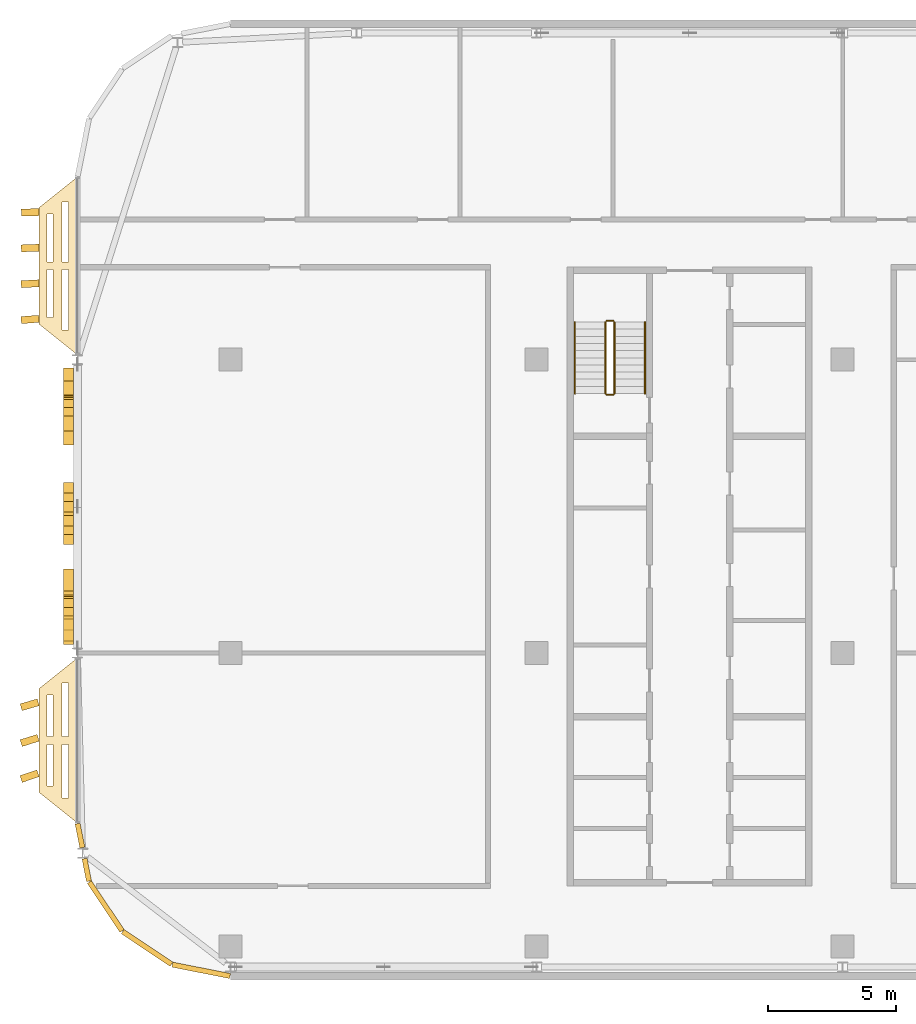
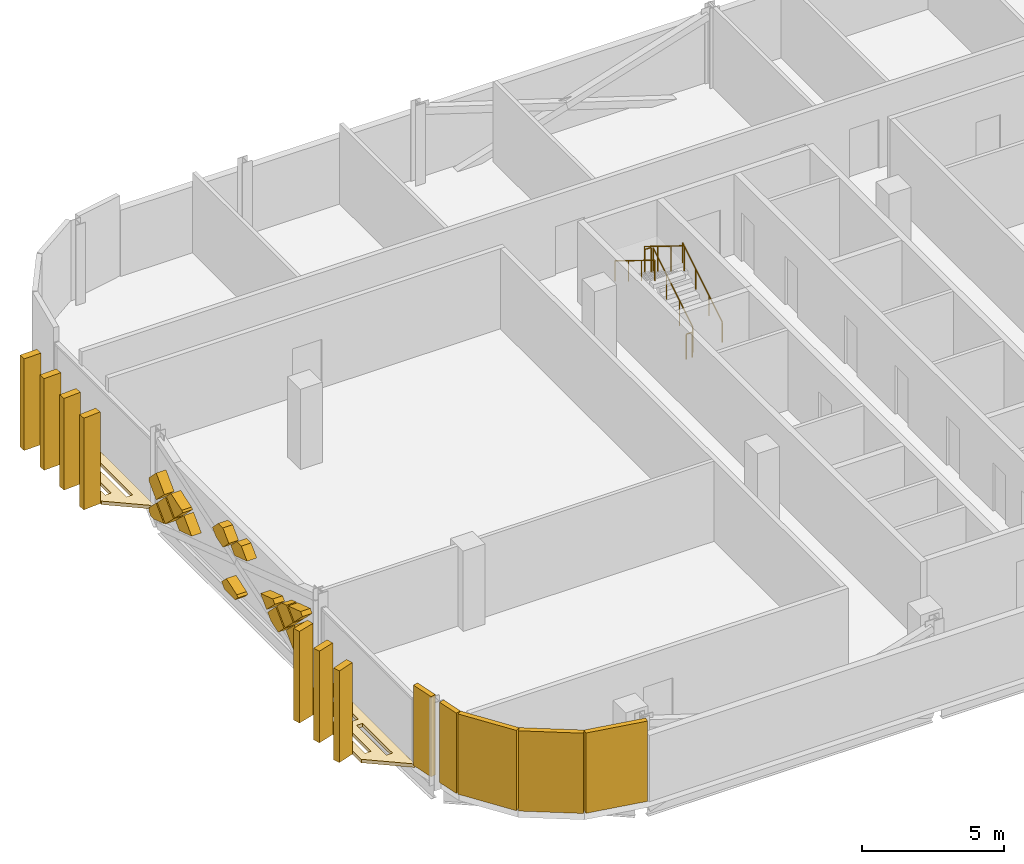
# One storey, part 21 of 25: 27 coverings, 6 railings.
"""IFC4 building model written with IfcOpenShell, lengths in metres."""

from ifc_helpers import new_model, si_unit, direction, frame, origin, origin_2d, place, context, subcontext, project, spatial, polyline, rectangle, circle, outline, extrude, material, layer, layer_set, type_object, element, save


model = new_model("IFC4")

# Units and contexts
model_context = context("Model", 3, precision=1e-05, world=origin(), true_north=direction((0.0, 1.0)))
body_context = subcontext(model_context, "Body", "Model", "MODEL_VIEW")
ifc_project = project(units=[si_unit("LENGTHUNIT", "METRE"), si_unit("AREAUNIT", "SQUARE_METRE"), si_unit("VOLUMEUNIT", "CUBIC_METRE"), si_unit("PLANEANGLEUNIT", "RADIAN"), si_unit("MASSUNIT", "GRAM", prefix="KILO")], contexts=[model_context])

# Site, building, storey
site_placement = place(None, origin())
site = spatial("IfcSite", under=ifc_project, at=site_placement, CompositionType="ELEMENT")
building_placement = place(site_placement, origin())
building = spatial("IfcBuilding", under=site, at=building_placement, Name="Mahtab Terrace Research Tower", CompositionType="ELEMENT")
storey_placement = place(building_placement, frame((0.0, 0.0, 278.5)))
storey = spatial("IfcBuildingStorey", under=building, at=storey_placement, Name="L68", CompositionType="ELEMENT", Elevation=278.5)

# Coverings
ifc_material_1 = material(Name="Black aluminium cladding panel", Category="aluminium")
ifc_layer_1 = layer(ifc_material_1, 0.199951171875)
ifc_layer_set_1 = layer_set([ifc_layer_1], Name="Black metal corner cladding 200")
covering_type_1 = type_object("IfcCoveringType", Name="Black metal corner cladding 200", PredefinedType="CLADDING", material=ifc_layer_set_1)
covering_1_placement = place(storey_placement, frame((-47.90283203125, -7.15625, 0.0), z_axis=(0.0, 0.0, 1.0), x_axis=(0.195212442692, -0.980760981187, 0.0)))
element("IfcCovering", 1, at=covering_1_placement, inside=storey, type_object=covering_type_1, Name="Corner cladding L68 11", PredefinedType="CLADDING", context=body_context, shape_type="SweptSolid", body=[
    extrude(rectangle(XDim=0.955810546875, YDim=0.199951171875, at=origin_2d()), origin(), (0.0, 0.0, 1.0), 3.4599609375),
])
covering_2_placement = place(storey_placement, frame((-47.635009765625, -8.50146484375, 0.0), z_axis=(0.0, 0.0, 1.0), x_axis=(0.195212442692, -0.980760981187, 0.0)))
element("IfcCovering", 2, at=covering_2_placement, inside=storey, type_object=covering_type_1, Name="Corner cladding L68 12", PredefinedType="CLADDING", context=body_context, shape_type="SweptSolid", body=[
    extrude(rectangle(XDim=0.9033203125, YDim=0.199951171875, at=origin_2d()), origin(), (0.0, 0.0, 1.0), 3.4599609375),
])
for number, where, z_axis, x_axis, name in (
    (3, (-46.89306640625, -9.9375, 0.0), (0.0, 0.0, 1.0), (0.555291490808, -0.831655794326, 0.0), "Corner cladding L68 13"),
    (4, (-45.26953125, -11.56103515625, 0.0), (0.0, 0.0, 1.0), (0.831655794326, -0.555291490808, 0.0), "Corner cladding L68 14"),
    (5, (-43.14794921875, -12.439453125, 0.0), (0.0, 0.0, 1.0), (0.980760981187, -0.195212442692, 0.0), "Corner cladding L68 15"),
):
    element("IfcCovering", number, at=place(storey_placement, frame(where, z_axis=z_axis, x_axis=x_axis)), inside=storey, type_object=covering_type_1, Name=name, PredefinedType="CLADDING", context=body_context, shape_type="SweptSolid", body=[
        extrude(rectangle(XDim=2.30126953125, YDim=0.199951171875, at=origin_2d()), origin(), (0.0, 0.0, 1.0), 3.4599609375),
    ])
ifc_material_2 = material(Name="Black anodised aluminium", Category="aluminium")
ifc_layer_2 = layer(ifc_material_2, 0.14990234375)
ifc_layer_set_2 = layer_set([ifc_layer_2], Name="Horizontal sunshade band")
covering_type_2 = type_object("IfcCoveringType", Name="Horizontal sunshade band", PredefinedType="CLADDING", material=ifc_layer_set_2)
covering_3_placement = place(storey_placement, frame((0.0, 0.0, -0.14990234375)))
element("IfcCovering", 6, at=covering_3_placement, inside=storey, type_object=covering_type_2, Name="Sunshade band L68 8", PredefinedType="CLADDING", context=body_context, shape_type="SweptSolid", body=[
    extrude(outline(polyline([(-48.0, 18.66796875), (-48.0, 11.68798828125), (-49.5, 12.887939453125), (-49.5, 17.468017578125), (-48.0, 18.66796875)]), holes=[polyline([(-48.35009765625, 17.68798828125), (-48.35009765625, 15.327880859375), (-48.60009765625, 15.327880859375), (-48.60009765625, 17.68798828125), (-48.35009765625, 17.68798828125)]), polyline([(-48.35009765625, 15.028076171875), (-48.35009765625, 12.66796875), (-48.60009765625, 12.66796875), (-48.60009765625, 15.028076171875), (-48.35009765625, 15.028076171875)]), polyline([(-48.949951171875, 17.2080078125), (-48.949951171875, 15.327880859375), (-49.199951171875, 15.327880859375), (-49.199951171875, 17.2080078125), (-48.949951171875, 17.2080078125)]), polyline([(-48.949951171875, 15.028076171875), (-48.949951171875, 13.14794921875), (-49.199951171875, 13.14794921875), (-49.199951171875, 15.028076171875), (-48.949951171875, 15.028076171875)])]), origin(), (0.0, 0.0, 1.0), 0.14990234375),
])
covering_4_placement = place(storey_placement, frame((0.0, 0.0, -0.14990234375)))
element("IfcCovering", 7, at=covering_4_placement, inside=storey, type_object=covering_type_2, Name="Sunshade band L68 10", PredefinedType="CLADDING", context=body_context, shape_type="SweptSolid", body=[
    extrude(outline(polyline([(-48.0, -0.18798828125), (-48.0, -6.66796875), (-49.5, -5.468017578125), (-49.5, -1.387939453125), (-48.0, -0.18798828125)]), holes=[polyline([(-48.35009765625, -1.16796875), (-48.35009765625, -3.278076171875), (-48.60009765625, -3.278076171875), (-48.60009765625, -1.16796875), (-48.35009765625, -1.16796875)]), polyline([(-48.35009765625, -3.577880859375), (-48.35009765625, -5.68798828125), (-48.60009765625, -5.68798828125), (-48.60009765625, -3.577880859375), (-48.35009765625, -3.577880859375)]), polyline([(-48.949951171875, -1.64794921875), (-48.949951171875, -3.278076171875), (-49.199951171875, -3.278076171875), (-49.199951171875, -1.64794921875), (-48.949951171875, -1.64794921875)]), polyline([(-48.949951171875, -3.577880859375), (-48.949951171875, -5.2080078125), (-49.199951171875, -5.2080078125), (-49.199951171875, -3.577880859375), (-48.949951171875, -3.577880859375)])]), origin(), (0.0, 0.0, 1.0), 0.14990234375),
])
ifc_material_3 = material(Name="Bronze anodised aluminium", Category="aluminium")
ifc_layer_3 = layer(ifc_material_3, 0.39990234375)
ifc_layer_set_3 = layer_set([ifc_layer_3], Name="Mashrabiya relief panel 400")
covering_type_3 = type_object("IfcCoveringType", Name="Mashrabiya relief panel 400", PredefinedType="CLADDING", material=ifc_layer_set_3)
covering_5_placement = place(storey_placement, frame((-48.14990234375, 11.177001953125, 0.284912109375), z_axis=(1.0, 0.0, 0.0), x_axis=(0.0, 0.0, 1.0)))
element("IfcCovering", 8, at=covering_5_placement, inside=storey, type_object=covering_type_3, Name="Mashrabiya lattice cell L68 W9.1", PredefinedType="CLADDING", context=body_context, shape_type="SweptSolid", body=[
    extrude(outline(polyline([(0.0, 0.0), (0.130126953125, 0.0), (0.64501953125, 0.514892578125), (0.093994140625, 1.06591796875), (-0.14990234375, 0.327880859375), (-0.14990234375, 0.14990234375), (0.0, 0.0)])), origin(), (0.0, 0.0, -1.0), 0.39990234375),
])
covering_6_placement = place(storey_placement, frame((-48.14990234375, 10.662109375, 2.22998046875), z_axis=(1.0, 0.0, 0.0), x_axis=(0.0, -0.707106781187, -0.707106781187)))
element("IfcCovering", 9, at=covering_6_placement, inside=storey, type_object=covering_type_3, Name="Mashrabiya lattice cell L68 W9.2", PredefinedType="CLADDING", context=body_context, shape_type="SweptSolid", body=[
    extrude(outline(polyline([(0.0, 0.0), (0.8203543516109556, 0.0), (0.820181718119455, 0.820181718119455), (0.0920136509698315, 0.820181718119455), (0.0, 0.7281680671496235), (0.0, 0.0)])), origin(), (0.0, 0.0, -1.0), 0.39990234375),
])
covering_7_placement = place(storey_placement, frame((-48.14990234375, 10.011962890625, 1.580078125), z_axis=(1.0, 0.0, 0.0), x_axis=(0.0, -0.707106781187, -0.707106781187)))
element("IfcCovering", 10, at=covering_7_placement, inside=storey, type_object=covering_type_3, Name="Mashrabiya lattice cell L68 W9.3", PredefinedType="CLADDING", context=body_context, shape_type="SweptSolid", body=[
    extrude(outline(polyline([(0.0, 0.0), (0.8203543516109556, 0.0), (0.8203543516109556, 0.8203543516109556), (0.0, 0.8203543516109556), (0.0, 0.0)])), origin(), (0.0, 0.0, -1.0), 0.39990234375),
])
covering_8_placement = place(storey_placement, frame((-48.14990234375, 8.781982421875, 1.64990234375), z_axis=(1.0, 0.0, 0.0), x_axis=(0.0, 0.707255598772, -0.706957932274)))
element("IfcCovering", 11, at=covering_8_placement, inside=storey, type_object=covering_type_3, Name="Mashrabiya lattice cell L68 W9.4", PredefinedType="CLADDING", context=body_context, shape_type="SweptSolid", body=[
    extrude(outline(polyline([(0.0, 0.0), (0.8201817362875763, 0.0), (0.8203543334390104, 0.8200090664636573), (0.36511986277216557, 0.8202775186225616), (1.9984933323953513e-05, 0.0949484182221077), (0.0, 0.0)])), origin(), (0.0, 0.0, -1.0), 0.39990234375),
])
covering_9_placement = place(storey_placement, frame((-48.14990234375, 9.2919921875, 1.0), z_axis=(1.0, 0.0, 0.0), x_axis=(0.0, -0.707106781187, 0.707106781187)))
element("IfcCovering", 12, at=covering_9_placement, inside=storey, type_object=covering_type_3, Name="Mashrabiya lattice cell L68 W9.5", PredefinedType="CLADDING", context=body_context, shape_type="SweptSolid", body=[
    extrude(outline(polyline([(0.0, 0.0), (0.8203543516109556, 0.0), (0.820181718119455, 0.7849644858533281), (0.0, 0.3718525406923397), (0.0, 0.0)])), origin(), (0.0, 0.0, -1.0), 0.39990234375),
])
covering_10_placement = place(storey_placement, frame((-48.14990234375, 6.69189453125, 2.300048828125), z_axis=(1.0, 0.0, 0.0), x_axis=(0.0, -0.707106781187, 0.707106781187)))
element("IfcCovering", 13, at=covering_10_placement, inside=storey, type_object=covering_type_3, Name="Mashrabiya lattice cell L68 W9.6", PredefinedType="CLADDING", context=body_context, shape_type="SweptSolid", body=[
    extrude(outline(polyline([(0.0, 0.0), (0.5910970748981296, 0.0), (0.8201817181194548, 0.22908464322132532), (0.820181718119455, 0.820181718119455), (0.23322784701734023, 0.820181718119455), (0.0, 0.35631552645728376), (0.0, 0.0)])), origin(), (0.0, 0.0, -1.0), 0.39990234375),
])
covering_11_placement = place(storey_placement, frame((-48.14990234375, 6.0419921875, 0.35009765625), z_axis=(1.0, 0.0, 0.0), x_axis=(0.0, -0.707368333511, 0.706845132081)))
element("IfcCovering", 14, at=covering_11_placement, inside=storey, type_object=covering_type_3, Name="Mashrabiya lattice cell L68 W9.7", PredefinedType="CLADDING", context=body_context, shape_type="SweptSolid", body=[
    extrude(outline(polyline([(0.0, 0.0), (0.46662835945986325, 0.0), (0.8204411550824784, 0.7011063941288723), (0.8204850958275854, 0.8198782281531568), (0.5164776019670916, 0.8201633320574558), (0.00011253429197466414, 0.3041801912075424), (0.0, 0.0)])), origin(), (0.0, 0.0, -1.0), 0.39990234375),
])
covering_12_placement = place(storey_placement, frame((-48.14990234375, 5.39208984375, 2.300048828125), z_axis=(1.0, 0.0, 0.0), x_axis=(0.0, -0.707106781187, 0.707106781187)))
element("IfcCovering", 15, at=covering_12_placement, inside=storey, type_object=covering_type_3, Name="Mashrabiya lattice cell L68 W9.8", PredefinedType="CLADDING", context=body_context, shape_type="SweptSolid", body=[
    extrude(outline(polyline([(0.0, 0.0), (0.5910970748981296, 0.0), (0.8203543516109555, 0.22925727671282597), (0.820181718119455, 0.7977393642243741), (0.0, 0.38462741906338577), (0.0, 0.0)])), origin(), (0.0, 0.0, -1.0), 0.39990234375),
])
covering_13_placement = place(storey_placement, frame((-48.14990234375, 2.281982421875, 1.64990234375), z_axis=(1.0, 0.0, 0.0), x_axis=(0.0, 0.707255598772, -0.706957932274)))
element("IfcCovering", 16, at=covering_13_placement, inside=storey, type_object=covering_type_3, Name="Mashrabiya lattice cell L68 W9.9", PredefinedType="CLADDING", context=body_context, shape_type="SweptSolid", body=[
    extrude(outline(polyline([(0.0, 0.0), (0.8201817362875763, 0.0), (0.8203108752930914, 0.6135394152024923), (4.2295386161975146e-05, 0.20094537965551518), (0.0, 0.0)])), origin(), (0.0, 0.0, -1.0), 0.39990234375),
])
covering_14_placement = place(storey_placement, frame((-48.14990234375, 2.7919921875, 1.0), z_axis=(1.0, 0.0, 0.0), x_axis=(0.0, -0.707106781187, 0.707106781187)))
element("IfcCovering", 17, at=covering_14_placement, inside=storey, type_object=covering_type_3, Name="Mashrabiya lattice cell L68 W9.10", PredefinedType="CLADDING", context=body_context, shape_type="SweptSolid", body=[
    extrude(outline(polyline([(0.0, 0.0), (0.8203543516109556, 0.0), (0.820181718119455, 0.820181718119455), (0.24462165745638137, 0.8201817181194551), (0.0, 0.3324921046301979), (0.0, 0.0)])), origin(), (0.0, 0.0, -1.0), 0.39990234375),
])
covering_15_placement = place(storey_placement, frame((-48.14990234375, 0.98193359375, 1.64990234375), z_axis=(1.0, 0.0, 0.0), x_axis=(0.0, 0.707255598772, -0.706957932274)))
element("IfcCovering", 18, at=covering_15_placement, inside=storey, type_object=covering_type_3, Name="Mashrabiya lattice cell L68 W9.11", PredefinedType="CLADDING", context=body_context, shape_type="SweptSolid", body=[
    extrude(outline(polyline([(0.0, 0.0), (0.8201817362875763, 0.0), (0.8205270032629295, 0.8201816636150915), (0.32403309270514447, 0.8202861666482546), (0.0001384410835714167, 0.6577335880476914), (0.0, 0.0)])), origin(), (0.0, 0.0, -1.0), 0.39990234375),
])
covering_16_placement = place(storey_placement, frame((-48.14990234375, 0.912109375, 1.580078125), z_axis=(1.0, 0.0, 0.0), x_axis=(0.0, -0.707106781187, -0.707106781187)))
element("IfcCovering", 19, at=covering_16_placement, inside=storey, type_object=covering_type_3, Name="Mashrabiya lattice cell L68 W9.12", PredefinedType="CLADDING", context=body_context, shape_type="SweptSolid", body=[
    extrude(outline(polyline([(0.0, 0.0), (0.8203543516109556, 0.0), (0.8203543516109556, 0.8203543516109556), (0.0001726334915006511, 0.820181718119455), (0.0, 0.0)])), origin(), (0.0, 0.0, -1.0), 0.39990234375),
])
covering_17_placement = place(storey_placement, frame((-48.14990234375, 0.33203125, 2.300048828125), z_axis=(1.0, 0.0, 0.0), x_axis=(0.0, 0.707106781187, -0.707106781187)))
element("IfcCovering", 20, at=covering_17_placement, inside=storey, type_object=covering_type_3, Name="Mashrabiya lattice cell L68 W9.13", PredefinedType="CLADDING", context=body_context, shape_type="SweptSolid", body=[
    extrude(outline(polyline([(0.0, 0.0), (0.8203543516109556, 0.0), (0.8203543516109556, 0.6080151570651905), (0.0, 0.19507584539570283), (0.0, 0.0)])), origin(), (0.0, 0.0, -1.0), 0.39990234375),
])

# Railings
ifc_material_4 = material(Name="Stainless steel AISI 304", Category="steel")
railing_type_1 = type_object("IfcRailingType", Name="Stair guard 1100", PredefinedType="GUARDRAIL", material=ifc_material_4)
railing_1_placement = place(storey_placement, frame((-26.949951171875, 10.175048828125, 0.172607421875)))
element("IfcRailing", 21, at=railing_1_placement, inside=storey, type_object=railing_type_1, Name="L68 ST1 stair guard 1", PredefinedType="GUARDRAIL", context=body_context, shape_type="SweptSolid", body=[
    extrude(circle(Radius=0.02392578125, at=origin_2d()), frame((0.0, 0.0, 1.076171875), z_axis=(0.0, 0.851089632645, 0.525020415988), x_axis=(-1.0, 0.0, 0.0)), (0.0, 0.0, 1.0), 3.2900390625),
    extrude(circle(Radius=0.02099609375, at=origin_2d()), origin(), (0.0, 0.0, 1.0), 1.052001953125),
    extrude(circle(Radius=0.02099609375, at=origin_2d()), frame((0.0, 0.933349609375, 0.57568359375)), (0.0, 0.0, 1.0), 1.052001953125),
    extrude(circle(Radius=0.02099609375, at=origin_2d()), frame((0.0, 1.86669921875, 1.151611328125)), (0.0, 0.0, 1.0), 1.052001953125),
    extrude(circle(Radius=0.02099609375, at=origin_2d()), frame((0.0, 2.800048828125, 1.727294921875)), (0.0, 0.0, 1.0), 1.052001953125),
])
railing_2_placement = place(storey_placement, frame((-27.0, 13.02490234375, 1.89990234375)))
element("IfcRailing", 22, at=railing_2_placement, inside=storey, type_object=railing_type_1, Name="L68 ST1 stair guard 2", PredefinedType="GUARDRAIL", context=body_context, shape_type="SweptSolid", body=[
    extrude(circle(Radius=0.02392578125, at=origin_2d()), frame((0.0, 0.0, 1.076171875), z_axis=(-1.0, 0.0, 0.0), x_axis=(0.0, -1.0, 0.0)), (0.0, 0.0, 1.0), 0.25),
    extrude(circle(Radius=0.02099609375, at=origin_2d()), origin(), (0.0, 0.0, 1.0), 1.052001953125),
    extrude(circle(Radius=0.02099609375, at=origin_2d()), frame((-0.25, 0.0, 0.0)), (0.0, 0.0, 1.0), 1.052001953125),
])
railing_3_placement = place(storey_placement, frame((-27.300048828125, 12.97509765625, 2.07275390625)))
element("IfcRailing", 23, at=railing_3_placement, inside=storey, type_object=railing_type_1, Name="L68 ST1 stair guard 3", PredefinedType="GUARDRAIL", context=body_context, shape_type="SweptSolid", body=[
    extrude(circle(Radius=0.02392578125, at=origin_2d()), frame((0.0, 0.0, 1.076171875), z_axis=(0.0, -0.851089632645, 0.525020415988), x_axis=(1.0, 0.0, 0.0)), (0.0, 0.0, 1.0), 3.2900390625),
    extrude(circle(Radius=0.02099609375, at=origin_2d()), origin(), (0.0, 0.0, 1.0), 1.052001953125),
    extrude(circle(Radius=0.02099609375, at=origin_2d()), frame((0.0, -0.933349609375, 0.57568359375)), (0.0, 0.0, 1.0), 1.052001953125),
    extrude(circle(Radius=0.02099609375, at=origin_2d()), frame((0.0, -1.86669921875, 1.151611328125)), (0.0, 0.0, 1.0), 1.052001953125),
    extrude(circle(Radius=0.02099609375, at=origin_2d()), frame((0.0, -2.800048828125, 1.727294921875)), (0.0, 0.0, 1.0), 1.052001953125),
])
railing_4_placement = place(storey_placement, frame((-27.0, 10.125, 0.0)))
element("IfcRailing", 24, at=railing_4_placement, inside=storey, type_object=railing_type_1, Name="L68 ST1 stair guard 4", PredefinedType="GUARDRAIL", context=body_context, shape_type="SweptSolid", body=[
    extrude(circle(Radius=0.02392578125, at=origin_2d()), frame((0.0, 0.0, 1.076171875), z_axis=(-1.0, 0.0, 0.0), x_axis=(0.0, -1.0, 0.0)), (0.0, 0.0, 1.0), 0.25),
    extrude(circle(Radius=0.02099609375, at=origin_2d()), origin(), (0.0, 0.0, 1.0), 1.052001953125),
    extrude(circle(Radius=0.02099609375, at=origin_2d()), frame((-0.25, 0.0, 0.0)), (0.0, 0.0, 1.0), 1.052001953125),
])
railing_type_2 = type_object("IfcRailingType", Name="Stair handrail 900", PredefinedType="HANDRAIL", material=ifc_material_4)
railing_5_placement = place(storey_placement, frame((-25.75, 10.175048828125, 0.172607421875)))
element("IfcRailing", 25, at=railing_5_placement, inside=storey, type_object=railing_type_2, Name="L68 ST1 stair handrail 1", PredefinedType="HANDRAIL", context=body_context, shape_type="SweptSolid", body=[
    extrude(circle(Radius=0.02392578125, at=origin_2d()), frame((0.0, 0.0, 0.8759765625), z_axis=(0.0, 0.851089632645, 0.525020415988), x_axis=(-1.0, 0.0, 0.0)), (0.0, 0.0, 1.0), 3.2900390625),
    extrude(circle(Radius=0.02099609375, at=origin_2d()), origin(), (0.0, 0.0, 1.0), 0.851806640625),
    extrude(circle(Radius=0.02099609375, at=origin_2d()), frame((0.0, 0.933349609375, 0.57568359375)), (0.0, 0.0, 1.0), 0.851806640625),
    extrude(circle(Radius=0.02099609375, at=origin_2d()), frame((0.0, 1.86669921875, 1.151611328125)), (0.0, 0.0, 1.0), 0.851806640625),
    extrude(circle(Radius=0.02099609375, at=origin_2d()), frame((0.0, 2.800048828125, 1.727294921875)), (0.0, 0.0, 1.0), 0.851806640625),
])
railing_6_placement = place(storey_placement, frame((-28.5, 12.97509765625, 2.07275390625)))
element("IfcRailing", 26, at=railing_6_placement, inside=storey, type_object=railing_type_2, Name="L68 ST1 stair handrail 2", PredefinedType="HANDRAIL", context=body_context, shape_type="SweptSolid", body=[
    extrude(circle(Radius=0.02392578125, at=origin_2d()), frame((0.0, 0.0, 0.8759765625), z_axis=(0.0, -0.851089632645, 0.525020415988), x_axis=(1.0, 0.0, 0.0)), (0.0, 0.0, 1.0), 3.2900390625),
    extrude(circle(Radius=0.02099609375, at=origin_2d()), origin(), (0.0, 0.0, 1.0), 0.851806640625),
    extrude(circle(Radius=0.02099609375, at=origin_2d()), frame((0.0, -0.933349609375, 0.57568359375)), (0.0, 0.0, 1.0), 0.851806640625),
    extrude(circle(Radius=0.02099609375, at=origin_2d()), frame((0.0, -1.86669921875, 1.151611328125)), (0.0, 0.0, 1.0), 0.851806640625),
    extrude(circle(Radius=0.02099609375, at=origin_2d()), frame((0.0, -2.800048828125, 1.727294921875)), (0.0, 0.0, 1.0), 0.851806640625),
])

# Coverings
ifc_layer_4 = layer(ifc_material_3, 0.1201171875)
ifc_layer_set_4 = layer_set([ifc_layer_4], Name="Vertical fin 700")
covering_type_4 = type_object("IfcCoveringType", Name="Vertical fin 700", PredefinedType="CLADDING", material=ifc_layer_set_4)
for number, where, z_axis, x_axis, name in (
    (27, (-49.8525390625, 17.278076171875, -0.14990234375), (0.0, 0.0, 1.0), (0.01914950564, -0.999816631405, 0.0), "Fin L68 W1"),
    (28, (-49.855224609375, 15.8779296875, -0.14990234375), (0.0, 0.0, 1.0), (0.038429661669, -0.999261307719, 0.0), "Fin L68 W2"),
    (29, (-49.857421875, 14.47802734375, -0.14990234375), (0.0, 0.0, 1.0), (0.05769552062, -0.998334226049, 0.0), "Fin L68 W3"),
    (30, (-49.859619140625, 13.077880859375, -0.14990234375), (0.0, 0.0, 1.0), (0.076939914945, -0.9970357313, 0.0), "Fin L68 W4"),
    (31, (-49.875244140625, -2.028076171875, -0.14990234375), (0.0, 0.0, 1.0), (0.281290278552, -0.95962272753, 0.0), "Fin L68 W1"),
    (32, (-49.8759765625, -3.427978515625, -0.14990234375), (0.0, 0.0, 1.0), (0.299746442048, -0.954018904676, 0.0), "Fin L68 W2"),
    (33, (-49.87646484375, -4.827880859375, -0.14990234375), (0.0, 0.0, 1.0), (0.318091090035, -0.948060155497, 0.0), "Fin L68 W3"),
):
    element("IfcCovering", number, at=place(storey_placement, frame(where, z_axis=z_axis, x_axis=x_axis)), inside=storey, type_object=covering_type_4, Name=name, PredefinedType="CLADDING", context=body_context, shape_type="SweptSolid", body=[
        extrude(rectangle(XDim=0.280029296875, YDim=0.699951171875, at=origin_2d()), origin(), (0.0, 0.0, 1.0), 3.949951171875),
    ])

save(model, "model.ifc")
